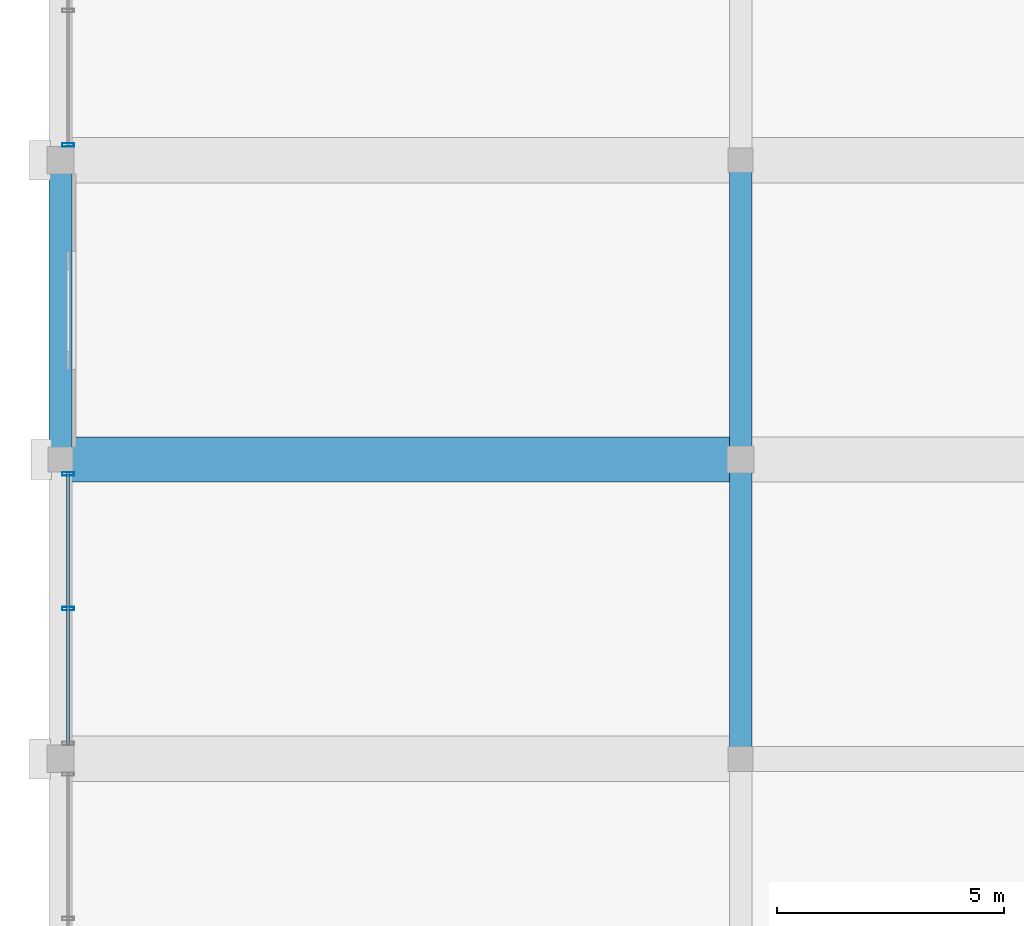
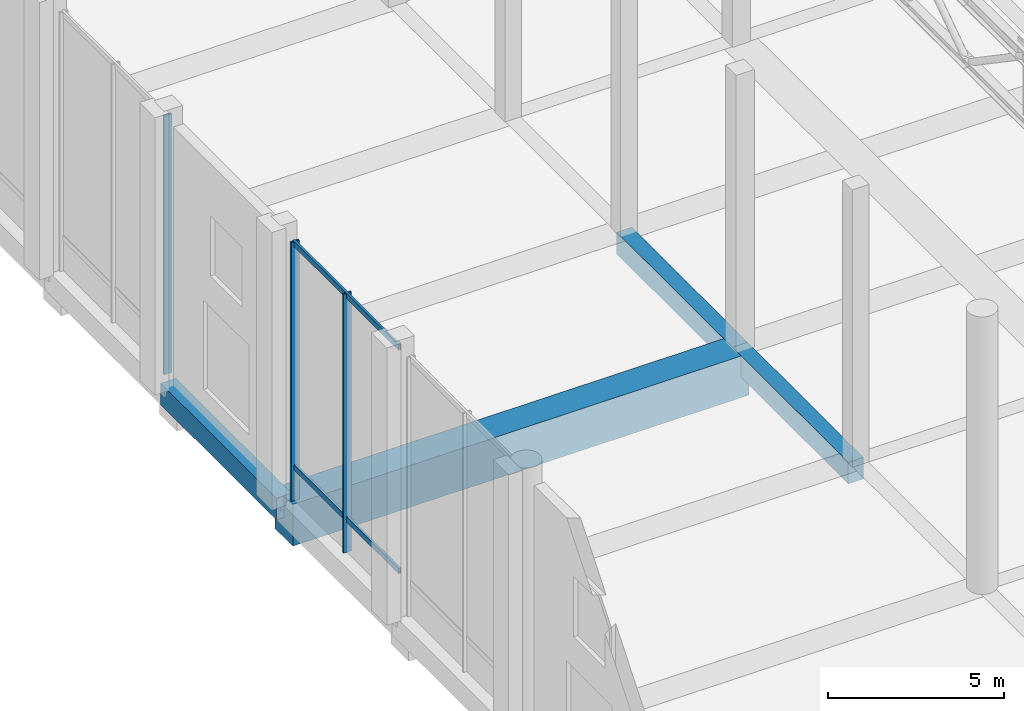
# One storey, part 17 of 80: 5 members, 4 beams, 2 elements without a shape of their own.
"""IFC4 building model written with IfcOpenShell, lengths in metres."""

from ifc_helpers import new_model, si_unit, direction, frame, origin, origin_2d, place, context, subcontext, project, spatial, rectangle, hollow_rectangle, extrude, material, material_profile, profile_set, type_object, element, aggregate, save


model = new_model("IFC4")

# Units and contexts
model_context = context("Model", 3, precision=1e-05, world=origin(), true_north=direction((0.0, 1.0)))
body_context = subcontext(model_context, "Body", "Model", "MODEL_VIEW")
ifc_project = project(units=[si_unit("LENGTHUNIT", "METRE"), si_unit("AREAUNIT", "SQUARE_METRE"), si_unit("VOLUMEUNIT", "CUBIC_METRE"), si_unit("PLANEANGLEUNIT", "RADIAN"), si_unit("MASSUNIT", "GRAM", prefix="KILO")], contexts=[model_context])

# Site, building, storey
site_placement = place(None, origin())
site = spatial("IfcSite", under=ifc_project, at=site_placement, CompositionType="ELEMENT")
building_placement = place(site_placement, origin())
building = spatial("IfcBuilding", under=site, at=building_placement, Name="Akrevak Sports Hall", CompositionType="ELEMENT")
storey_placement = place(building_placement, frame((0.0, 0.0, 14.0)))
storey = spatial("IfcBuildingStorey", under=building, at=storey_placement, Name="L03", CompositionType="ELEMENT", Elevation=14.0)

# Curtain wall, members
ifc_material_1 = material(Name="Anodized Bronze Aluminium & Low-E Glass", Category="aluminium")
curtain_wall_type = type_object("IfcCurtainWallType", Name="ARC-CW-POD-64x94", PredefinedType="NOTDEFINED", material=ifc_material_1)
curtain_wall_1_placement = place(storey_placement, origin())
curtain_wall_1 = element("IfcCurtainWall", 1, at=curtain_wall_1_placement, inside=storey, type_object=curtain_wall_type, Name="Curtain Wall CW-L03-W03", PredefinedType="NOTDEFINED")
ifc_material_2 = material(Name="Anodized Bronze Aluminium", Category="aluminium")
ifc_material_profile_1 = material_profile(ifc_material_2, hollow_rectangle(XDim=0.074951171875, YDim=0.260009765625, WallThickness=0.0048828125, at=origin_2d()), Name="CWM 75x260", Category="aluminium")
ifc_profile_set_1 = profile_set([ifc_material_profile_1], Name="Anodized Bronze Aluminium")
member_type_1 = type_object("IfcMemberType", Name="ARC-CWM-80x180", PredefinedType="MULLION", material=ifc_profile_set_1)
member_1_placement = place(storey_placement, frame((0.169921875, 35.0849609375, 0.0), z_axis=(0.0, 0.0, 1.0), x_axis=(0.0, -1.0, 0.0)))
member_1 = element("IfcMember", 2, at=member_1_placement, type_object=member_type_1, Name="Curtain Wall Mullion CW-L03-W03-M1", PredefinedType="MULLION", context=body_context, shape_type="SweptSolid", body=[
    extrude(hollow_rectangle(XDim=0.074951171875, YDim=0.260009765625, WallThickness=0.0048828125, at=origin_2d()), origin(), (0.0, 0.0, 1.0), 9.0),
])
member_2_placement = place(storey_placement, frame((0.169921875, 32.112548828125, 0.0), z_axis=(0.0, 0.0, 1.0), x_axis=(0.0, -1.0, 0.0)))
member_2 = element("IfcMember", 3, at=member_2_placement, type_object=member_type_1, Name="Curtain Wall Mullion CW-L03-W03-M2", PredefinedType="MULLION", context=body_context, shape_type="SweptSolid", body=[
    extrude(hollow_rectangle(XDim=0.074951171875, YDim=0.260009765625, WallThickness=0.0048828125, at=origin_2d()), origin(), (0.0, 0.0, 1.0), 9.0),
])

# Curtain wall, member
curtain_wall_2_placement = place(storey_placement, origin())
curtain_wall_2 = element("IfcCurtainWall", 4, at=curtain_wall_2_placement, inside=storey, type_object=curtain_wall_type, Name="Curtain Wall CW-L03-W05", PredefinedType="NOTDEFINED")
member_3_placement = place(storey_placement, frame((0.169921875, 42.340087890625, 0.0), z_axis=(0.0, 0.0, 1.0), x_axis=(0.0, -1.0, 0.0)))
member_3 = element("IfcMember", 5, at=member_3_placement, type_object=member_type_1, Name="Curtain Wall Mullion CW-L03-W05-M3", PredefinedType="MULLION", context=body_context, shape_type="SweptSolid", body=[
    extrude(hollow_rectangle(XDim=0.074951171875, YDim=0.260009765625, WallThickness=0.0048828125, at=origin_2d()), origin(), (0.0, 0.0, 1.0), 9.0),
])
aggregate(curtain_wall_2, [member_3])

# Member
ifc_material_profile_2 = material_profile(ifc_material_2, hollow_rectangle(XDim=0.074951171875, YDim=0.18994140625, WallThickness=0.00439453125, at=origin_2d()), Name="CWT 75x190", Category="aluminium")
ifc_profile_set_2 = profile_set([ifc_material_profile_2], Name="Anodized Bronze Aluminium")
member_type_2 = type_object("IfcMemberType", Name="ARC-CWT-80x150", PredefinedType="USERDEFINED", material=ifc_profile_set_2)
member_4_placement = place(storey_placement, frame((0.169921875, 35.125, 1.14990234375), z_axis=(0.0, -1.0, 0.0), x_axis=(1.0, 0.0, 0.0)))
member_4 = element("IfcMember", 6, at=member_4_placement, type_object=member_type_2, Name="Curtain Wall Transom CW-L03-W03-T1", ObjectType="TRANSOM", PredefinedType="USERDEFINED", context=body_context, shape_type="SweptSolid", body=[
    extrude(hollow_rectangle(XDim=0.074951171875, YDim=0.18994140625, WallThickness=0.00439453125, at=origin_2d()), origin(), (0.0, 0.0, 1.0), 6.02490234375),
])

member_5_placement = place(storey_placement, frame((0.169921875, 35.125, 8.919921875), z_axis=(0.0, -1.0, 0.0), x_axis=(1.0, 0.0, 0.0)))
member_5 = element("IfcMember", 7, at=member_5_placement, type_object=member_type_2, Name="Curtain Wall Transom CW-L03-W03-T2", ObjectType="TRANSOM", PredefinedType="USERDEFINED", context=body_context, shape_type="SweptSolid", body=[
    extrude(hollow_rectangle(XDim=0.074951171875, YDim=0.18994140625, WallThickness=0.00439453125, at=origin_2d()), origin(), (0.0, 0.0, 1.0), 6.02490234375),
])

aggregate(curtain_wall_1, [member_1, member_2, member_4, member_5])

# Beams
ifc_material_3 = material(Name="Concrete C50/60", Category="concrete")
ifc_material_profile_3 = material_profile(ifc_material_3, rectangle(XDim=1.0, YDim=1.449951171875, at=origin_2d()), Name="BM 1000x1450", Category="concrete")
ifc_profile_set_3 = profile_set([ifc_material_profile_3], Name="Concrete C50/60")
beam_type_1 = type_object("IfcBeamType", Name="STR-BM-LG1000x1450", PredefinedType="BEAM", material=ifc_profile_set_3)
beam_1_placement = place(storey_placement, frame((0.0, 35.39990234375, -0.72509765625), z_axis=(1.0, 0.0, 0.0), x_axis=(0.0, 1.0, 0.0)))
element("IfcBeam", 8, at=beam_1_placement, inside=storey, type_object=beam_type_1, Name="Girder F/1-3 (L03)", PredefinedType="BEAM", context=body_context, shape_type="SweptSolid", body=[
    extrude(rectangle(XDim=1.0, YDim=1.449951171875, at=origin_2d()), origin(), (0.0, 0.0, 1.0), 15.0),
])
ifc_material_4 = material(Name="Concrete C40/50", Category="concrete")
ifc_material_profile_4 = material_profile(ifc_material_4, rectangle(XDim=0.5, YDim=0.75, at=origin_2d()), Name="BM 500x750", Category="concrete")
ifc_profile_set_4 = profile_set([ifc_material_profile_4], Name="Concrete C40/50")
beam_type_2 = type_object("IfcBeamType", Name="STR-BM-RC500x750", PredefinedType="BEAM", material=ifc_profile_set_4)
beam_2_placement = place(storey_placement, frame((0.0, 35.39990234375, -0.375), z_axis=(0.0, 1.0, 0.0), x_axis=(-1.0, 0.0, 0.0)))
element("IfcBeam", 9, at=beam_2_placement, inside=storey, type_object=beam_type_2, Name="Girder 1/F-G (L03)", PredefinedType="BEAM", context=body_context, shape_type="SweptSolid", body=[
    extrude(rectangle(XDim=0.5, YDim=0.75, at=origin_2d()), origin(), (0.0, 0.0, 1.0), 6.60009765625),
])
beam_3_placement = place(storey_placement, frame((15.0, 28.800048828125, -0.375), z_axis=(0.0, 1.0, 0.0), x_axis=(-1.0, 0.0, 0.0)))
element("IfcBeam", 10, at=beam_3_placement, inside=storey, type_object=beam_type_2, Name="Girder 3/E-F (L03)", PredefinedType="BEAM", context=body_context, shape_type="SweptSolid", body=[
    extrude(rectangle(XDim=0.5, YDim=0.75, at=origin_2d()), origin(), (0.0, 0.0, 1.0), 6.599853515625),
])
beam_4_placement = place(storey_placement, frame((15.0, 35.39990234375, -0.375), z_axis=(0.0, 1.0, 0.0), x_axis=(-1.0, 0.0, 0.0)))
element("IfcBeam", 11, at=beam_4_placement, inside=storey, type_object=beam_type_2, Name="Girder 3/F-G (L03)", PredefinedType="BEAM", context=body_context, shape_type="SweptSolid", body=[
    extrude(rectangle(XDim=0.5, YDim=0.75, at=origin_2d()), origin(), (0.0, 0.0, 1.0), 6.60009765625),
])

save(model, "model.ifc")
